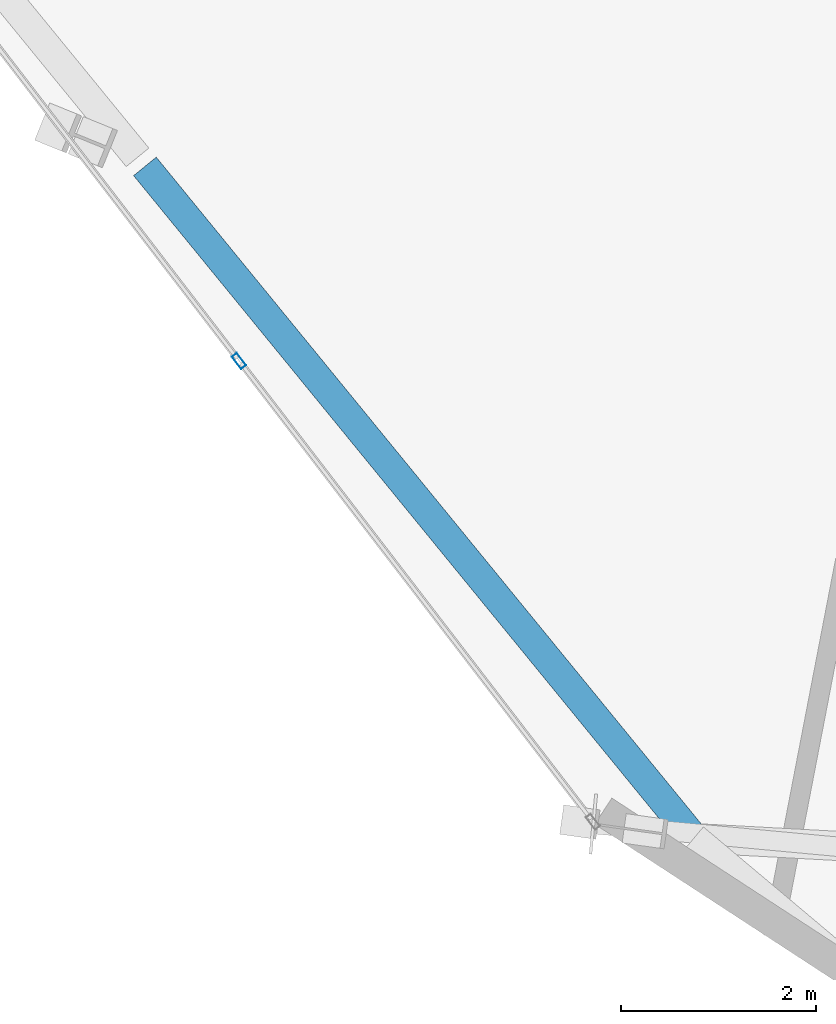
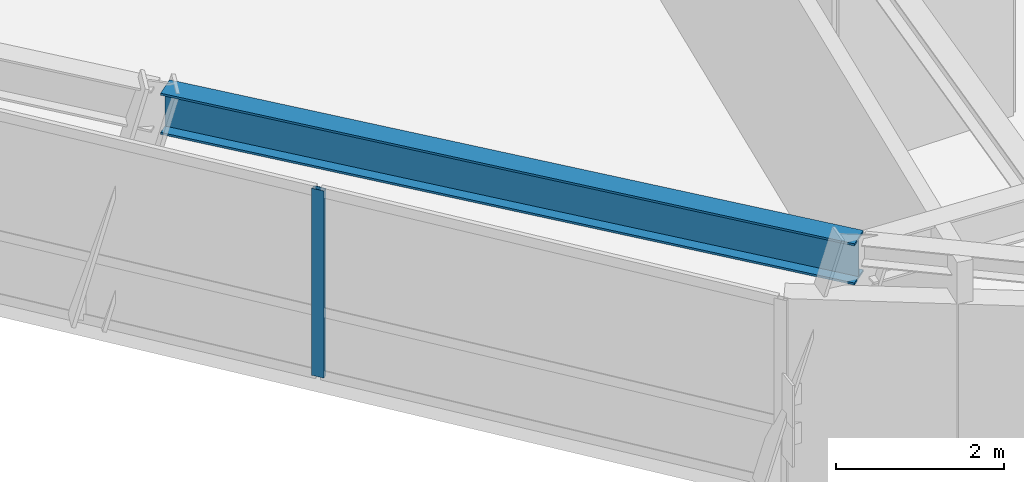
# One storey, part 2 of 15: 1 beam, 1 member, 1 element without a shape of its own.
"""IFC4 building model written with IfcOpenShell, lengths in metres."""

from ifc_helpers import new_model, si_unit, direction, frame, origin, origin_2d, place, context, subcontext, project, spatial, hollow_rectangle, i_section, extrude, source, transform, mapped, material, material_profile, profile_set, type_object, element, aggregate, save


model = new_model("IFC4")

# Units and contexts
model_context = context("Model", 3, precision=1e-05, world=origin(), true_north=direction((0.0, 1.0)))
body_context = subcontext(model_context, "Body", "Model", "MODEL_VIEW")
ifc_project = project(units=[si_unit("LENGTHUNIT", "METRE"), si_unit("AREAUNIT", "SQUARE_METRE"), si_unit("VOLUMEUNIT", "CUBIC_METRE"), si_unit("PLANEANGLEUNIT", "RADIAN"), si_unit("MASSUNIT", "GRAM", prefix="KILO")], contexts=[model_context])

# Site, building, storey
site_placement = place(None, origin())
site = spatial("IfcSite", under=ifc_project, at=site_placement, CompositionType="ELEMENT")
building_placement = place(site_placement, origin())
building = spatial("IfcBuilding", under=site, at=building_placement, Name="Olszyna Solenne Hotel", CompositionType="ELEMENT")
storey_placement = place(building_placement, frame((0.0, 0.0, 157.25)))
storey = spatial("IfcBuildingStorey", under=building, at=storey_placement, Name="L41", CompositionType="ELEMENT", Elevation=157.25)

# Beam
ifc_material_1 = material(Name="Steel S355J2", Category="steel")
ifc_material_profile_1 = material_profile(ifc_material_1, i_section(OverallWidth=0.300048828125, OverallDepth=0.60009765625, WebThickness=0.015380859375, FlangeThickness=0.030029296875, at=origin_2d()), Name="HEB 600", Category="load-bearing")
ifc_profile_set_1 = profile_set([ifc_material_profile_1], Name="Steel S355J2")
beam_type = type_object("IfcBeamType", Name="BM-S2", PredefinedType="BEAM", material=ifc_profile_set_1)
shared_shape_1 = source(origin(), body_context, "Body", "SweptSolid", [
    extrude(i_section(OverallWidth=0.300048828125, OverallDepth=0.60009765625, WebThickness=0.015380859375, FlangeThickness=0.030029296875, at=origin_2d()), origin(), (0.0, 0.0, 1.0), 8.84375),
])
beam_placement = place(storey_placement, frame((26.743896484375, 9.514892578125, 3.030029296875), z_axis=(0.632864900688, -0.774262240767, 0.0), x_axis=(0.774262240767, 0.632864900688, 0.0)))
element("IfcBeam", 1, at=beam_placement, inside=storey, type_object=beam_type, Name="Perimeter spandrel beam BM-S2 B-L41-1223", PredefinedType="BEAM", context=body_context, shape_type="MappedRepresentation", body=[
    mapped(shared_shape_1, transform((0.0, 0.0, 0.0), x_axis=(1.0, 0.0, 0.0), y_axis=(0.0, 1.0, 0.0), z_axis=(0.0, 0.0, 1.0), scale=1.0)),
])

# Curtain wall, member
ifc_material_2 = material(Name="Anodised bronze aluminium", Category="aluminium")
curtain_wall_type = type_object("IfcCurtainWallType", Name="CW-SYS-4", PredefinedType="NOTDEFINED", material=ifc_material_2)
curtain_wall_placement = place(storey_placement, origin())
curtain_wall = element("IfcCurtainWall", 2, at=curtain_wall_placement, inside=storey, type_object=curtain_wall_type, Name="Unitised curtain wall CW-SYS-4 CW-L41-01", PredefinedType="NOTDEFINED")
ifc_material_profile_2 = material_profile(ifc_material_2, hollow_rectangle(XDim=0.06494140625, YDim=0.159912109375, WallThickness=0.00390625, at=origin_2d()), Name="MULL 160x65x4", Category="load-bearing")
ifc_profile_set_2 = profile_set([ifc_material_profile_2], Name="Anodised bronze aluminium")
member_type = type_object("IfcMemberType", Name="CW-M3", PredefinedType="MULLION", material=ifc_profile_set_2)
shared_shape_2 = source(origin(), body_context, "Body", "SweptSolid", [
    extrude(hollow_rectangle(XDim=0.06494140625, YDim=0.159912109375, WallThickness=0.00390625, at=origin_2d()), origin(), (0.0, 0.0, 1.0), 2.721923828125),
])
member_placement = place(storey_placement, frame((27.7099609375, 7.5185546875, 0.0), z_axis=(0.0, 0.0, 1.0), x_axis=(0.793149974067, 0.609026369411, 0.0)))
member = element("IfcMember", 3, at=member_placement, type_object=member_type, Name="Curtain-wall mullion CW-M3 CM-L41-01-03", PredefinedType="MULLION", context=body_context, shape_type="MappedRepresentation", body=[
    mapped(shared_shape_2, transform((0.0, 0.0, 0.0), x_axis=(1.0, 0.0, 0.0), y_axis=(0.0, 1.0, 0.0), z_axis=(0.0, 0.0, 1.0), scale=1.0)),
])
aggregate(curtain_wall, [member])

save(model, "model.ifc")
